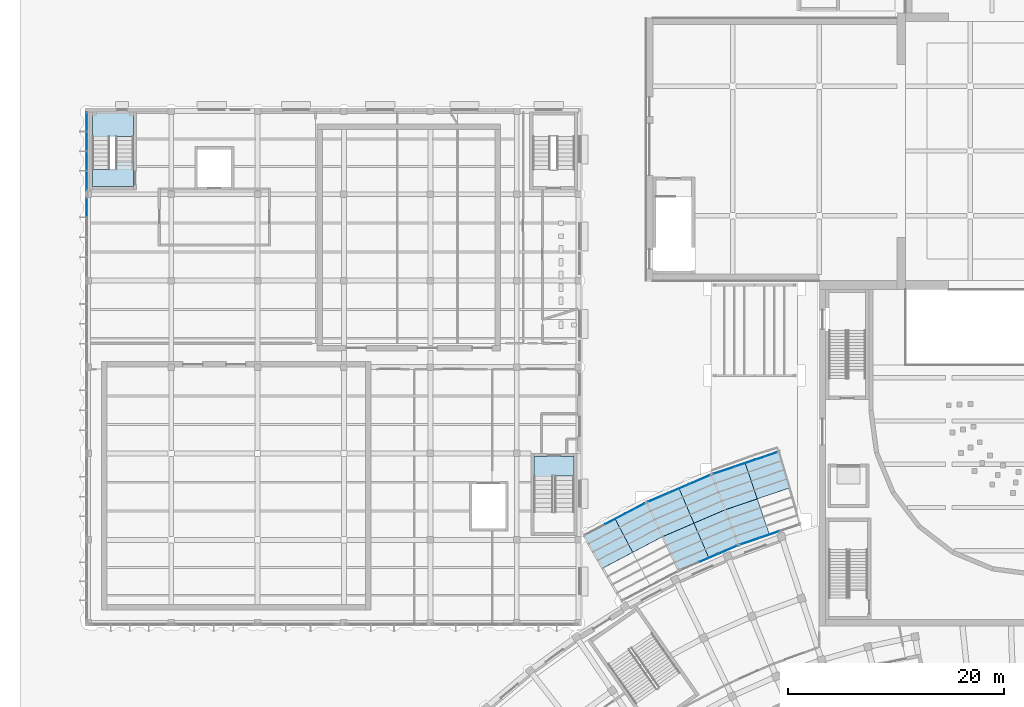
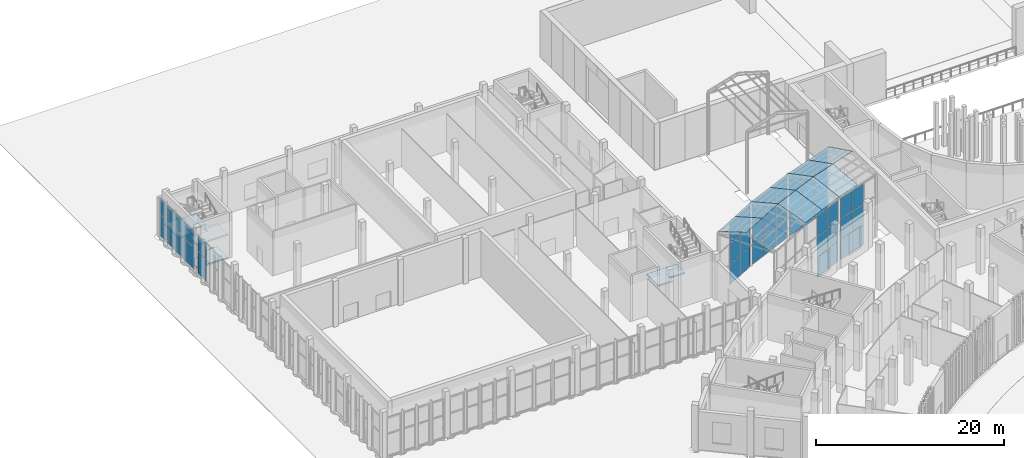
# One storey, part 83 of 155: 55 plates, 4 slabs, 8 elements without a shape of their own.
"""IFC4 building model written with IfcOpenShell, lengths in metres."""

from ifc_helpers import new_model, si_unit, direction, frame, origin, origin_2d, place, context, subcontext, project, spatial, polyline, rectangle, outline, extrude, material, layer, layer_set, type_object, element, aggregate, save


model = new_model("IFC4")

# Units and contexts
model_context = context("Model", 3, precision=1e-05, world=origin(), true_north=direction((0.0, 1.0)))
body_context = subcontext(model_context, "Body", "Model", "MODEL_VIEW")
ifc_project = project(units=[si_unit("LENGTHUNIT", "METRE"), si_unit("AREAUNIT", "SQUARE_METRE"), si_unit("VOLUMEUNIT", "CUBIC_METRE"), si_unit("PLANEANGLEUNIT", "RADIAN"), si_unit("MASSUNIT", "GRAM", prefix="KILO")], contexts=[model_context])

# Site, building, storey
site_placement = place(None, origin())
site = spatial("IfcSite", under=ifc_project, at=site_placement, CompositionType="ELEMENT")
building_placement = place(site_placement, origin())
building = spatial("IfcBuilding", under=site, at=building_placement, Name="Lunette Opera House", CompositionType="ELEMENT")
storey_placement = place(building_placement, origin())
storey = spatial("IfcBuildingStorey", under=building, at=storey_placement, Name="L00", CompositionType="ELEMENT", Elevation=0.0)

# Slabs
ifc_material_1 = material(Name="Concrete C35/45", Category="concrete")
ifc_layer_1 = layer(ifc_material_1, 0.199951171875)
ifc_layer_set_1 = layer_set([ifc_layer_1], Name="Concrete C35/45")
slab_type_1 = type_object("IfcSlabType", Name="CORE LANDING SLAB 200", PredefinedType="LANDING", material=ifc_layer_set_1)
slab_1_placement = place(storey_placement, frame((0.0, 0.0, -0.199951171875)))
element("IfcSlab", 1, at=slab_1_placement, inside=storey, type_object=slab_type_1, Name="ST15 floor landing", PredefinedType="LANDING", context=body_context, shape_type="SweptSolid", body=[
    extrude(outline(polyline([(10.89990234375, 106.300048828125), (10.89990234375, 107.0), (12.5, 107.0), (12.5, 104.699951171875), (8.699951171875, 104.699951171875), (8.699951171875, 106.31005859375), (10.300048828125, 106.31005859375), (10.300048828125, 106.300048828125), (10.89990234375, 106.300048828125)])), origin(), (0.0, 0.0, 1.0), 0.199951171875),
])
slab_2_placement = place(storey_placement, frame((0.0, 0.0, -0.199951171875)))
element("IfcSlab", 2, at=slab_2_placement, inside=storey, type_object=slab_type_1, Name="ST16 floor landing", PredefinedType="LANDING", context=body_context, shape_type="SweptSolid", body=[
    extrude(outline(polyline([(53.300048828125, 77.919921875), (51.530029296875, 77.919921875), (51.530029296875, 77.929931640625), (51.3701171875, 77.929931640625), (51.3701171875, 77.22998046875), (49.60009765625, 77.22998046875), (49.60009765625, 79.699951171875), (53.300048828125, 79.699951171875), (53.300048828125, 77.919921875)])), origin(), (0.0, 0.0, 1.0), 0.199951171875),
])

# Curtain wall, plates
ifc_material_2 = material(Name="Aluminium", Category="aluminium")
ifc_layer_2 = layer(ifc_material_2, 0.139892578125)
ifc_layer_set_2 = layer_set([ifc_layer_2], Name="Aluminium")
curtain_wall_type_1 = type_object("IfcCurtainWallType", Name="PASSAGE CURTAIN WALL", PredefinedType="NOTDEFINED", material=ifc_layer_set_2)
curtain_wall_1_placement = place(storey_placement, origin())
curtain_wall_1 = element("IfcCurtainWall", 3, at=curtain_wall_1_placement, inside=storey, type_object=curtain_wall_type_1, Name="Passage Curtain Wall WI2 L00", PredefinedType="NOTDEFINED")
ifc_material_3 = material(Name="Laminated glass", Category="glass")
ifc_layer_3 = layer(ifc_material_3, 0.028076171875)
ifc_layer_set_3 = layer_set([ifc_layer_3], Name="Laminated glass")
plate_type_1 = type_object("IfcPlateType", Name="CURTAIN PANEL LAMINATED GLASS 28", PredefinedType="CURTAIN_PANEL", material=ifc_layer_set_3)
plate_1_placement = place(storey_placement, frame((65.785888671875, 70.324951171875, 0.06005859375), z_axis=(0.0, 0.0, 1.0), x_axis=(0.918764423565, 0.394806198015, 0.0)))
plate_1 = element("IfcPlate", 4, at=plate_1_placement, type_object=plate_type_1, Name="PP-X2014 panel 2.1", PredefinedType="CURTAIN_PANEL", context=body_context, shape_type="SweptSolid", body=[
    extrude(rectangle(XDim=1.8447265625, YDim=0.028076171875, at=origin_2d()), origin(), (0.0, 0.0, 1.0), 2.610107421875),
])
plate_2_placement = place(storey_placement, frame((65.785888671875, 70.324951171875, 2.72998046875), z_axis=(0.0, 0.0, 1.0), x_axis=(0.918764423565, 0.394806198015, 0.0)))
plate_2 = element("IfcPlate", 5, at=plate_2_placement, type_object=plate_type_1, Name="PP-X2014 panel 2.2", PredefinedType="CURTAIN_PANEL", context=body_context, shape_type="SweptSolid", body=[
    extrude(rectangle(XDim=1.8447265625, YDim=0.028076171875, at=origin_2d()), origin(), (0.0, 0.0, 1.0), 2.639892578125),
])
plate_3_placement = place(storey_placement, frame((65.785888671875, 70.324951171875, 5.43017578125), z_axis=(0.0, 0.0, 1.0), x_axis=(0.918764423565, 0.394806198015, 0.0)))
plate_3 = element("IfcPlate", 6, at=plate_3_placement, type_object=plate_type_1, Name="PP-X2014 panel 2.3", PredefinedType="CURTAIN_PANEL", context=body_context, shape_type="SweptSolid", body=[
    extrude(rectangle(XDim=1.8447265625, YDim=0.028076171875, at=origin_2d()), origin(), (0.0, 0.0, 1.0), 2.610107421875),
])
plate_4_placement = place(storey_placement, frame((67.522216796875, 71.071044921875, 0.06005859375), z_axis=(0.0, 0.0, 1.0), x_axis=(0.918764423565, 0.394806198015, 0.0)))
plate_4 = element("IfcPlate", 7, at=plate_4_placement, type_object=plate_type_1, Name="PP-X2014 panel 3.1", PredefinedType="CURTAIN_PANEL", context=body_context, shape_type="SweptSolid", body=[
    extrude(rectangle(XDim=1.814697265625, YDim=0.028076171875, at=origin_2d()), origin(), (0.0, 0.0, 1.0), 2.610107421875),
])
plate_5_placement = place(storey_placement, frame((67.522216796875, 71.071044921875, 2.72998046875), z_axis=(0.0, 0.0, 1.0), x_axis=(0.918764423565, 0.394806198015, 0.0)))
plate_5 = element("IfcPlate", 8, at=plate_5_placement, type_object=plate_type_1, Name="PP-X2014 panel 3.2", PredefinedType="CURTAIN_PANEL", context=body_context, shape_type="SweptSolid", body=[
    extrude(rectangle(XDim=1.814697265625, YDim=0.028076171875, at=origin_2d()), origin(), (0.0, 0.0, 1.0), 2.639892578125),
])
plate_6_placement = place(storey_placement, frame((67.522216796875, 71.071044921875, 5.43017578125), z_axis=(0.0, 0.0, 1.0), x_axis=(0.918764423565, 0.394806198015, 0.0)))
plate_6 = element("IfcPlate", 9, at=plate_6_placement, type_object=plate_type_1, Name="PP-X2014 panel 3.3", PredefinedType="CURTAIN_PANEL", context=body_context, shape_type="SweptSolid", body=[
    extrude(rectangle(XDim=1.814697265625, YDim=0.028076171875, at=origin_2d()), origin(), (0.0, 0.0, 1.0), 2.610107421875),
])
aggregate(curtain_wall_1, [plate_1, plate_2, plate_3, plate_4, plate_5, plate_6])

curtain_wall_2_placement = place(storey_placement, origin())
curtain_wall_2 = element("IfcCurtainWall", 10, at=curtain_wall_2_placement, inside=storey, type_object=curtain_wall_type_1, Name="Passage Curtain Wall WI3 L00", PredefinedType="NOTDEFINED")
plate_7_placement = place(storey_placement, frame((69.60693359375, 71.87109375, 0.06005859375), z_axis=(0.0, 0.0, 1.0), x_axis=(0.946865501729, 0.321629789721, 0.0)))
plate_7 = element("IfcPlate", 11, at=plate_7_placement, type_object=plate_type_1, Name="PP-X2015 panel 1.1", PredefinedType="CURTAIN_PANEL", context=body_context, shape_type="SweptSolid", body=[
    extrude(rectangle(XDim=1.81494140625, YDim=0.028076171875, at=origin_2d()), origin(), (0.0, 0.0, 1.0), 2.610107421875),
])
plate_8_placement = place(storey_placement, frame((69.60693359375, 71.87109375, 2.72998046875), z_axis=(0.0, 0.0, 1.0), x_axis=(0.946865501729, 0.321629789721, 0.0)))
plate_8 = element("IfcPlate", 12, at=plate_8_placement, type_object=plate_type_1, Name="PP-X2015 panel 1.2", PredefinedType="CURTAIN_PANEL", context=body_context, shape_type="SweptSolid", body=[
    extrude(rectangle(XDim=1.81494140625, YDim=0.028076171875, at=origin_2d()), origin(), (0.0, 0.0, 1.0), 2.639892578125),
])
plate_9_placement = place(storey_placement, frame((69.60693359375, 71.87109375, 5.43017578125), z_axis=(0.0, 0.0, 1.0), x_axis=(0.946865501729, 0.321629789721, 0.0)))
plate_9 = element("IfcPlate", 13, at=plate_9_placement, type_object=plate_type_1, Name="PP-X2015 panel 1.3", PredefinedType="CURTAIN_PANEL", context=body_context, shape_type="SweptSolid", body=[
    extrude(rectangle(XDim=1.81494140625, YDim=0.028076171875, at=origin_2d()), origin(), (0.0, 0.0, 1.0), 2.610107421875),
])
plate_10_placement = place(storey_placement, frame((71.396484375, 72.47900390625, 0.06005859375), z_axis=(0.0, 0.0, 1.0), x_axis=(0.946865501729, 0.321629789721, 0.0)))
plate_10 = element("IfcPlate", 14, at=plate_10_placement, type_object=plate_type_1, Name="PP-X2015 panel 2.1", PredefinedType="CURTAIN_PANEL", context=body_context, shape_type="SweptSolid", body=[
    extrude(rectangle(XDim=1.844970703125, YDim=0.028076171875, at=origin_2d()), origin(), (0.0, 0.0, 1.0), 2.610107421875),
])
plate_11_placement = place(storey_placement, frame((71.396484375, 72.47900390625, 2.72998046875), z_axis=(0.0, 0.0, 1.0), x_axis=(0.946865501729, 0.321629789721, 0.0)))
plate_11 = element("IfcPlate", 15, at=plate_11_placement, type_object=plate_type_1, Name="PP-X2015 panel 2.2", PredefinedType="CURTAIN_PANEL", context=body_context, shape_type="SweptSolid", body=[
    extrude(rectangle(XDim=1.844970703125, YDim=0.028076171875, at=origin_2d()), origin(), (0.0, 0.0, 1.0), 2.639892578125),
])
plate_12_placement = place(storey_placement, frame((71.396484375, 72.47900390625, 5.43017578125), z_axis=(0.0, 0.0, 1.0), x_axis=(0.946865501729, 0.321629789721, 0.0)))
plate_12 = element("IfcPlate", 16, at=plate_12_placement, type_object=plate_type_1, Name="PP-X2015 panel 2.3", PredefinedType="CURTAIN_PANEL", context=body_context, shape_type="SweptSolid", body=[
    extrude(rectangle(XDim=1.844970703125, YDim=0.028076171875, at=origin_2d()), origin(), (0.0, 0.0, 1.0), 2.610107421875),
])
aggregate(curtain_wall_2, [plate_7, plate_8, plate_9, plate_10, plate_11, plate_12])

curtain_wall_3_placement = place(storey_placement, origin())
curtain_wall_3 = element("IfcCurtainWall", 17, at=curtain_wall_3_placement, inside=storey, type_object=curtain_wall_type_1, Name="Passage Curtain Wall WO1 L00", PredefinedType="NOTDEFINED")
plate_13_placement = place(storey_placement, frame((57.1044921875, 73.927978515625, 0.06005859375), z_axis=(0.0, 0.0, 1.0), x_axis=(0.885008254005, 0.465575332618, 0.0)))
plate_13 = element("IfcPlate", 18, at=plate_13_placement, type_object=plate_type_1, Name="PP-X2016 panel 2.1", PredefinedType="CURTAIN_PANEL", context=body_context, shape_type="SweptSolid", body=[
    extrude(rectangle(XDim=2.02783203125, YDim=0.028076171875, at=origin_2d()), origin(), (0.0, 0.0, 1.0), 2.610107421875),
])
plate_14_placement = place(storey_placement, frame((57.1044921875, 73.927978515625, 2.72998046875), z_axis=(0.0, 0.0, 1.0), x_axis=(0.885008254005, 0.465575332618, 0.0)))
plate_14 = element("IfcPlate", 19, at=plate_14_placement, type_object=plate_type_1, Name="PP-X2016 panel 2.2", PredefinedType="CURTAIN_PANEL", context=body_context, shape_type="SweptSolid", body=[
    extrude(rectangle(XDim=2.02783203125, YDim=0.028076171875, at=origin_2d()), origin(), (0.0, 0.0, 1.0), 2.639892578125),
])
plate_15_placement = place(storey_placement, frame((57.1044921875, 73.927978515625, 5.43017578125), z_axis=(0.0, 0.0, 1.0), x_axis=(0.885008254005, 0.465575332618, 0.0)))
plate_15 = element("IfcPlate", 20, at=plate_15_placement, type_object=plate_type_1, Name="PP-X2016 panel 2.3", PredefinedType="CURTAIN_PANEL", context=body_context, shape_type="SweptSolid", body=[
    extrude(rectangle(XDim=2.02783203125, YDim=0.028076171875, at=origin_2d()), origin(), (0.0, 0.0, 1.0), 2.610107421875),
])
plate_16_placement = place(storey_placement, frame((58.93896484375, 74.89306640625, 0.06005859375), z_axis=(0.0, 0.0, 1.0), x_axis=(0.885008254005, 0.465575332618, 0.0)))
plate_16 = element("IfcPlate", 21, at=plate_16_placement, type_object=plate_type_1, Name="PP-X2016 panel 3.1", PredefinedType="CURTAIN_PANEL", context=body_context, shape_type="SweptSolid", body=[
    extrude(rectangle(XDim=1.997802734375, YDim=0.028076171875, at=origin_2d()), origin(), (0.0, 0.0, 1.0), 2.610107421875),
])
plate_17_placement = place(storey_placement, frame((58.93896484375, 74.89306640625, 2.72998046875), z_axis=(0.0, 0.0, 1.0), x_axis=(0.885008254005, 0.465575332618, 0.0)))
plate_17 = element("IfcPlate", 22, at=plate_17_placement, type_object=plate_type_1, Name="PP-X2016 panel 3.2", PredefinedType="CURTAIN_PANEL", context=body_context, shape_type="SweptSolid", body=[
    extrude(rectangle(XDim=1.997802734375, YDim=0.028076171875, at=origin_2d()), origin(), (0.0, 0.0, 1.0), 2.639892578125),
])
plate_18_placement = place(storey_placement, frame((58.93896484375, 74.89306640625, 5.43017578125), z_axis=(0.0, 0.0, 1.0), x_axis=(0.885008254005, 0.465575332618, 0.0)))
plate_18 = element("IfcPlate", 23, at=plate_18_placement, type_object=plate_type_1, Name="PP-X2016 panel 3.3", PredefinedType="CURTAIN_PANEL", context=body_context, shape_type="SweptSolid", body=[
    extrude(rectangle(XDim=1.997802734375, YDim=0.028076171875, at=origin_2d()), origin(), (0.0, 0.0, 1.0), 2.610107421875),
])
aggregate(curtain_wall_3, [plate_13, plate_14, plate_15, plate_16, plate_17, plate_18])

curtain_wall_4_placement = place(storey_placement, origin())
curtain_wall_4 = element("IfcCurtainWall", 24, at=curtain_wall_4_placement, inside=storey, type_object=curtain_wall_type_1, Name="Passage Curtain Wall WO2 L00", PredefinedType="NOTDEFINED")
plate_19_placement = place(storey_placement, frame((61.119873046875, 75.93310546875, 0.06005859375), z_axis=(0.0, 0.0, 1.0), x_axis=(0.918764754476, 0.394805427943, 0.0)))
plate_19 = element("IfcPlate", 25, at=plate_19_placement, type_object=plate_type_1, Name="PP-X2017 panel 1.1", PredefinedType="CURTAIN_PANEL", context=body_context, shape_type="SweptSolid", body=[
    extrude(rectangle(XDim=1.998046875, YDim=0.028076171875, at=origin_2d()), origin(), (0.0, 0.0, 1.0), 2.610107421875),
])
plate_20_placement = place(storey_placement, frame((61.119873046875, 75.93310546875, 2.72998046875), z_axis=(0.0, 0.0, 1.0), x_axis=(0.918764754476, 0.394805427943, 0.0)))
plate_20 = element("IfcPlate", 26, at=plate_20_placement, type_object=plate_type_1, Name="PP-X2017 panel 1.2", PredefinedType="CURTAIN_PANEL", context=body_context, shape_type="SweptSolid", body=[
    extrude(rectangle(XDim=1.998046875, YDim=0.028076171875, at=origin_2d()), origin(), (0.0, 0.0, 1.0), 2.639892578125),
])
plate_21_placement = place(storey_placement, frame((61.119873046875, 75.93310546875, 5.43017578125), z_axis=(0.0, 0.0, 1.0), x_axis=(0.918764754476, 0.394805427943, 0.0)))
plate_21 = element("IfcPlate", 27, at=plate_21_placement, type_object=plate_type_1, Name="PP-X2017 panel 1.3", PredefinedType="CURTAIN_PANEL", context=body_context, shape_type="SweptSolid", body=[
    extrude(rectangle(XDim=1.998046875, YDim=0.028076171875, at=origin_2d()), origin(), (0.0, 0.0, 1.0), 2.610107421875),
])
plate_22_placement = place(storey_placement, frame((63.0244140625, 76.75146484375, 0.06005859375), z_axis=(0.0, 0.0, 1.0), x_axis=(0.918764754476, 0.394805427943, 0.0)))
plate_22 = element("IfcPlate", 28, at=plate_22_placement, type_object=plate_type_1, Name="PP-X2017 panel 2.1", PredefinedType="CURTAIN_PANEL", context=body_context, shape_type="SweptSolid", body=[
    extrude(rectangle(XDim=2.02783203125, YDim=0.028076171875, at=origin_2d()), origin(), (0.0, 0.0, 1.0), 2.610107421875),
])
plate_23_placement = place(storey_placement, frame((63.0244140625, 76.75146484375, 2.72998046875), z_axis=(0.0, 0.0, 1.0), x_axis=(0.918764754476, 0.394805427943, 0.0)))
plate_23 = element("IfcPlate", 29, at=plate_23_placement, type_object=plate_type_1, Name="PP-X2017 panel 2.2", PredefinedType="CURTAIN_PANEL", context=body_context, shape_type="SweptSolid", body=[
    extrude(rectangle(XDim=2.02783203125, YDim=0.028076171875, at=origin_2d()), origin(), (0.0, 0.0, 1.0), 2.639892578125),
])
plate_24_placement = place(storey_placement, frame((63.0244140625, 76.75146484375, 5.43017578125), z_axis=(0.0, 0.0, 1.0), x_axis=(0.918764754476, 0.394805427943, 0.0)))
plate_24 = element("IfcPlate", 30, at=plate_24_placement, type_object=plate_type_1, Name="PP-X2017 panel 2.3", PredefinedType="CURTAIN_PANEL", context=body_context, shape_type="SweptSolid", body=[
    extrude(rectangle(XDim=2.02783203125, YDim=0.028076171875, at=origin_2d()), origin(), (0.0, 0.0, 1.0), 2.610107421875),
])
plate_25_placement = place(storey_placement, frame((64.928955078125, 77.56982421875, 0.06005859375), z_axis=(0.0, 0.0, 1.0), x_axis=(0.918764754476, 0.394805427943, 0.0)))
plate_25 = element("IfcPlate", 31, at=plate_25_placement, type_object=plate_type_1, Name="PP-X2017 panel 3.1", PredefinedType="CURTAIN_PANEL", context=body_context, shape_type="SweptSolid", body=[
    extrude(rectangle(XDim=1.998046875, YDim=0.028076171875, at=origin_2d()), origin(), (0.0, 0.0, 1.0), 2.610107421875),
])
plate_26_placement = place(storey_placement, frame((64.928955078125, 77.56982421875, 2.72998046875), z_axis=(0.0, 0.0, 1.0), x_axis=(0.918764754476, 0.394805427943, 0.0)))
plate_26 = element("IfcPlate", 32, at=plate_26_placement, type_object=plate_type_1, Name="PP-X2017 panel 3.2", PredefinedType="CURTAIN_PANEL", context=body_context, shape_type="SweptSolid", body=[
    extrude(rectangle(XDim=1.998046875, YDim=0.028076171875, at=origin_2d()), origin(), (0.0, 0.0, 1.0), 2.639892578125),
])
plate_27_placement = place(storey_placement, frame((64.928955078125, 77.56982421875, 5.43017578125), z_axis=(0.0, 0.0, 1.0), x_axis=(0.918764754476, 0.394805427943, 0.0)))
plate_27 = element("IfcPlate", 33, at=plate_27_placement, type_object=plate_type_1, Name="PP-X2017 panel 3.3", PredefinedType="CURTAIN_PANEL", context=body_context, shape_type="SweptSolid", body=[
    extrude(rectangle(XDim=1.998046875, YDim=0.028076171875, at=origin_2d()), origin(), (0.0, 0.0, 1.0), 2.610107421875),
])
aggregate(curtain_wall_4, [plate_19, plate_20, plate_21, plate_22, plate_23, plate_24, plate_25, plate_26, plate_27])

curtain_wall_5_placement = place(storey_placement, origin())
curtain_wall_5 = element("IfcCurtainWall", 34, at=curtain_wall_5_placement, inside=storey, type_object=curtain_wall_type_1, Name="Passage Curtain Wall WO3 L00", PredefinedType="NOTDEFINED")
plate_28_placement = place(storey_placement, frame((67.184814453125, 78.435546875, 0.06005859375), z_axis=(0.0, 0.0, 1.0), x_axis=(0.946912765974, 0.32149061205, 0.0)))
plate_28 = element("IfcPlate", 35, at=plate_28_placement, type_object=plate_type_1, Name="PP-X2018 panel 1.1", PredefinedType="CURTAIN_PANEL", context=body_context, shape_type="SweptSolid", body=[
    extrude(rectangle(XDim=1.998291015625, YDim=0.028076171875, at=origin_2d()), origin(), (0.0, 0.0, 1.0), 2.610107421875),
])
plate_29_placement = place(storey_placement, frame((67.184814453125, 78.435546875, 2.72998046875), z_axis=(0.0, 0.0, 1.0), x_axis=(0.946912765974, 0.32149061205, 0.0)))
plate_29 = element("IfcPlate", 36, at=plate_29_placement, type_object=plate_type_1, Name="PP-X2018 panel 1.2", PredefinedType="CURTAIN_PANEL", context=body_context, shape_type="SweptSolid", body=[
    extrude(rectangle(XDim=1.998291015625, YDim=0.028076171875, at=origin_2d()), origin(), (0.0, 0.0, 1.0), 2.639892578125),
])
plate_30_placement = place(storey_placement, frame((67.184814453125, 78.435546875, 5.43017578125), z_axis=(0.0, 0.0, 1.0), x_axis=(0.946912765974, 0.32149061205, 0.0)))
plate_30 = element("IfcPlate", 37, at=plate_30_placement, type_object=plate_type_1, Name="PP-X2018 panel 1.3", PredefinedType="CURTAIN_PANEL", context=body_context, shape_type="SweptSolid", body=[
    extrude(rectangle(XDim=1.998291015625, YDim=0.028076171875, at=origin_2d()), origin(), (0.0, 0.0, 1.0), 2.610107421875),
])
plate_31_placement = place(storey_placement, frame((69.14794921875, 79.10205078125, 0.06005859375), z_axis=(0.0, 0.0, 1.0), x_axis=(0.946912765974, 0.32149061205, 0.0)))
plate_31 = element("IfcPlate", 38, at=plate_31_placement, type_object=plate_type_1, Name="PP-X2018 panel 2.1", PredefinedType="CURTAIN_PANEL", context=body_context, shape_type="SweptSolid", body=[
    extrude(rectangle(XDim=2.028076171875, YDim=0.028076171875, at=origin_2d()), origin(), (0.0, 0.0, 1.0), 2.610107421875),
])
plate_32_placement = place(storey_placement, frame((69.14794921875, 79.10205078125, 2.72998046875), z_axis=(0.0, 0.0, 1.0), x_axis=(0.946912765974, 0.32149061205, 0.0)))
plate_32 = element("IfcPlate", 39, at=plate_32_placement, type_object=plate_type_1, Name="PP-X2018 panel 2.2", PredefinedType="CURTAIN_PANEL", context=body_context, shape_type="SweptSolid", body=[
    extrude(rectangle(XDim=2.028076171875, YDim=0.028076171875, at=origin_2d()), origin(), (0.0, 0.0, 1.0), 2.639892578125),
])
plate_33_placement = place(storey_placement, frame((69.14794921875, 79.10205078125, 5.43017578125), z_axis=(0.0, 0.0, 1.0), x_axis=(0.946912765974, 0.32149061205, 0.0)))
plate_33 = element("IfcPlate", 40, at=plate_33_placement, type_object=plate_type_1, Name="PP-X2018 panel 2.3", PredefinedType="CURTAIN_PANEL", context=body_context, shape_type="SweptSolid", body=[
    extrude(rectangle(XDim=2.028076171875, YDim=0.028076171875, at=origin_2d()), origin(), (0.0, 0.0, 1.0), 2.610107421875),
])
plate_34_placement = place(storey_placement, frame((71.111083984375, 79.7685546875, 0.06005859375), z_axis=(0.0, 0.0, 1.0), x_axis=(0.946912765974, 0.32149061205, 0.0)))
plate_34 = element("IfcPlate", 41, at=plate_34_placement, type_object=plate_type_1, Name="PP-X2018 panel 3.1", PredefinedType="CURTAIN_PANEL", context=body_context, shape_type="SweptSolid", body=[
    extrude(rectangle(XDim=1.998291015625, YDim=0.028076171875, at=origin_2d()), origin(), (0.0, 0.0, 1.0), 2.610107421875),
])
plate_35_placement = place(storey_placement, frame((71.111083984375, 79.7685546875, 2.72998046875), z_axis=(0.0, 0.0, 1.0), x_axis=(0.946912765974, 0.32149061205, 0.0)))
plate_35 = element("IfcPlate", 42, at=plate_35_placement, type_object=plate_type_1, Name="PP-X2018 panel 3.2", PredefinedType="CURTAIN_PANEL", context=body_context, shape_type="SweptSolid", body=[
    extrude(rectangle(XDim=1.998291015625, YDim=0.028076171875, at=origin_2d()), origin(), (0.0, 0.0, 1.0), 2.639892578125),
])
plate_36_placement = place(storey_placement, frame((71.111083984375, 79.7685546875, 5.43017578125), z_axis=(0.0, 0.0, 1.0), x_axis=(0.946912765974, 0.32149061205, 0.0)))
plate_36 = element("IfcPlate", 43, at=plate_36_placement, type_object=plate_type_1, Name="PP-X2018 panel 3.3", PredefinedType="CURTAIN_PANEL", context=body_context, shape_type="SweptSolid", body=[
    extrude(rectangle(XDim=1.998291015625, YDim=0.028076171875, at=origin_2d()), origin(), (0.0, 0.0, 1.0), 2.610107421875),
])
aggregate(curtain_wall_5, [plate_28, plate_29, plate_30, plate_31, plate_32, plate_33, plate_34, plate_35, plate_36])

ifc_material_4 = material(Name="Aluminium", Category="aluminium")
ifc_layer_4 = layer(ifc_material_4, 0.179931640625)
ifc_layer_set_4 = layer_set([ifc_layer_4], Name="Aluminium")
curtain_wall_type_2 = type_object("IfcCurtainWallType", Name="SUN FACE CURTAIN WALL", PredefinedType="NOTDEFINED", material=ifc_layer_set_4)
curtain_wall_6_placement = place(storey_placement, origin())
curtain_wall_6 = element("IfcCurtainWall", 44, at=curtain_wall_6_placement, inside=storey, type_object=curtain_wall_type_2, Name="Sun Face Curtain Wall F07 L00", PredefinedType="NOTDEFINED")
plate_37_placement = place(storey_placement, frame((8.181884765625, 110.706787109375, 0.06005859375), z_axis=(0.0, 0.0, 1.0), x_axis=(0.0, -1.0, 0.0)))
plate_37 = element("IfcPlate", 45, at=plate_37_placement, type_object=plate_type_1, Name="RW-X2001 panel 1.1", PredefinedType="CURTAIN_PANEL", context=body_context, shape_type="SweptSolid", body=[
    extrude(rectangle(XDim=1.736328125, YDim=0.028076171875, at=origin_2d()), origin(), (0.0, 0.0, 1.0), 2.8349609375),
])
plate_38_placement = place(storey_placement, frame((8.181884765625, 110.706787109375, 2.955078125), z_axis=(0.0, 0.0, 1.0), x_axis=(0.0, -1.0, 0.0)))
plate_38 = element("IfcPlate", 46, at=plate_38_placement, type_object=plate_type_1, Name="RW-X2001 panel 1.2", PredefinedType="CURTAIN_PANEL", context=body_context, shape_type="SweptSolid", body=[
    extrude(rectangle(XDim=1.736328125, YDim=0.028076171875, at=origin_2d()), origin(), (0.0, 0.0, 1.0), 2.034912109375),
])
plate_39_placement = place(storey_placement, frame((8.181884765625, 108.8955078125, 0.06005859375), z_axis=(0.0, 0.0, 1.0), x_axis=(0.0, -1.0, 0.0)))
plate_39 = element("IfcPlate", 47, at=plate_39_placement, type_object=plate_type_1, Name="RW-X2001 panel 2.1", PredefinedType="CURTAIN_PANEL", context=body_context, shape_type="SweptSolid", body=[
    extrude(rectangle(XDim=1.766357421875, YDim=0.028076171875, at=origin_2d()), origin(), (0.0, 0.0, 1.0), 2.8349609375),
])
plate_40_placement = place(storey_placement, frame((8.181884765625, 108.8955078125, 2.955078125), z_axis=(0.0, 0.0, 1.0), x_axis=(0.0, -1.0, 0.0)))
plate_40 = element("IfcPlate", 48, at=plate_40_placement, type_object=plate_type_1, Name="RW-X2001 panel 2.2", PredefinedType="CURTAIN_PANEL", context=body_context, shape_type="SweptSolid", body=[
    extrude(rectangle(XDim=1.766357421875, YDim=0.028076171875, at=origin_2d()), origin(), (0.0, 0.0, 1.0), 2.034912109375),
])
plate_41_placement = place(storey_placement, frame((8.181884765625, 107.0693359375, 0.06005859375), z_axis=(0.0, 0.0, 1.0), x_axis=(0.0, -1.0, 0.0)))
plate_41 = element("IfcPlate", 49, at=plate_41_placement, type_object=plate_type_1, Name="RW-X2001 panel 3.1", PredefinedType="CURTAIN_PANEL", context=body_context, shape_type="SweptSolid", body=[
    extrude(rectangle(XDim=1.766357421875, YDim=0.028076171875, at=origin_2d()), origin(), (0.0, 0.0, 1.0), 2.8349609375),
])
plate_42_placement = place(storey_placement, frame((8.181884765625, 107.0693359375, 2.955078125), z_axis=(0.0, 0.0, 1.0), x_axis=(0.0, -1.0, 0.0)))
plate_42 = element("IfcPlate", 50, at=plate_42_placement, type_object=plate_type_1, Name="RW-X2001 panel 3.2", PredefinedType="CURTAIN_PANEL", context=body_context, shape_type="SweptSolid", body=[
    extrude(rectangle(XDim=1.766357421875, YDim=0.028076171875, at=origin_2d()), origin(), (0.0, 0.0, 1.0), 2.034912109375),
])
plate_43_placement = place(storey_placement, frame((8.181884765625, 105.258056640625, 0.06005859375), z_axis=(0.0, 0.0, 1.0), x_axis=(0.0, -1.0, 0.0)))
plate_43 = element("IfcPlate", 51, at=plate_43_placement, type_object=plate_type_1, Name="RW-X2001 panel 4.1", PredefinedType="CURTAIN_PANEL", context=body_context, shape_type="SweptSolid", body=[
    extrude(rectangle(XDim=1.736328125, YDim=0.028076171875, at=origin_2d()), origin(), (0.0, 0.0, 1.0), 2.8349609375),
])
plate_44_placement = place(storey_placement, frame((8.181884765625, 105.258056640625, 2.955078125), z_axis=(0.0, 0.0, 1.0), x_axis=(0.0, -1.0, 0.0)))
plate_44 = element("IfcPlate", 52, at=plate_44_placement, type_object=plate_type_1, Name="RW-X2001 panel 4.2", PredefinedType="CURTAIN_PANEL", context=body_context, shape_type="SweptSolid", body=[
    extrude(rectangle(XDim=1.736328125, YDim=0.028076171875, at=origin_2d()), origin(), (0.0, 0.0, 1.0), 2.034912109375),
])
aggregate(curtain_wall_6, [plate_37, plate_38, plate_39, plate_40, plate_41, plate_42, plate_43, plate_44])

curtain_wall_7_placement = place(storey_placement, origin())
curtain_wall_7 = element("IfcCurtainWall", 53, at=curtain_wall_7_placement, inside=storey, type_object=curtain_wall_type_2, Name="Sun Face Curtain Wall F08 L00", PredefinedType="NOTDEFINED")
plate_45_placement = place(storey_placement, frame((8.181884765625, 102.76025390625, 0.06005859375), z_axis=(0.0, 0.0, 1.0), x_axis=(0.0, -1.0, 0.0)))
plate_45 = element("IfcPlate", 54, at=plate_45_placement, type_object=plate_type_1, Name="RW-X2002 panel 1.1", PredefinedType="CURTAIN_PANEL", context=body_context, shape_type="SweptSolid", body=[
    extrude(rectangle(XDim=1.75146484375, YDim=0.028076171875, at=origin_2d()), origin(), (0.0, 0.0, 1.0), 2.8349609375),
])
plate_46_placement = place(storey_placement, frame((8.181884765625, 102.76025390625, 2.955078125), z_axis=(0.0, 0.0, 1.0), x_axis=(0.0, -1.0, 0.0)))
plate_46 = element("IfcPlate", 55, at=plate_46_placement, type_object=plate_type_1, Name="RW-X2002 panel 1.2", PredefinedType="CURTAIN_PANEL", context=body_context, shape_type="SweptSolid", body=[
    extrude(rectangle(XDim=1.75146484375, YDim=0.028076171875, at=origin_2d()), origin(), (0.0, 0.0, 1.0), 2.034912109375),
])
aggregate(curtain_wall_7, [plate_45, plate_46])

# Plates
ifc_material_5 = material(Name="Laminated glass", Category="glass")
ifc_layer_5 = layer(ifc_material_5, 0.02001953125)
ifc_layer_set_5 = layer_set([ifc_layer_5], Name="Laminated glass")
plate_type_2 = type_object("IfcPlateType", Name="PASSAGE ROOF GLASS 20", PredefinedType="SHEET", material=ifc_layer_set_5)
plate_47_placement = place(storey_placement, frame((54.199951171875, 72.39990234375, 8.339111328125), z_axis=(-0.139689414984, 0.265477118059, 0.95394379663), x_axis=(0.885023881127, 0.465545624349, 3.8532169e-05)))
element("IfcPlate", 56, at=plate_47_placement, inside=storey, type_object=plate_type_2, Name="Passage roof glass W1B00", PredefinedType="SHEET", context=body_context, shape_type="SweptSolid", body=[
    extrude(outline(polyline([(0.0, 0.0), (3.2824094785957936, -2.220446049250313e-16), (3.2828580246772314, -3.662679954977167), (0.1379212651414485, -3.663505527176195), (0.0, 0.0)])), origin(), (0.0, 0.0, -1.0), 0.02001953125),
])
plate_48_placement = place(storey_placement, frame((57.10498046875, 73.927978515625, 8.339111328125), z_axis=(-0.139693444479, 0.265504169035, 0.953935678017), x_axis=(0.884966443926, 0.465654800288, -9.728127e-06)))
element("IfcPlate", 57, at=plate_48_placement, inside=storey, type_object=plate_type_2, Name="Passage roof glass W1B10", PredefinedType="SHEET", context=body_context, shape_type="SweptSolid", body=[
    extrude(outline(polyline([(0.0, 0.0), (3.2815452259512097, 0.0), (3.1445602739289056, -3.662888357784545), (-3.5510161343536896e-05, -3.6626799845172067), (0.0, 0.0)])), origin(), (0.0, 0.0, -1.0), 0.02001953125),
])
plate_49_placement = place(storey_placement, frame((63.02294921875, 69.137939453125, 8.339111328125), z_axis=(0.118443441546, -0.275602138083, 0.95394686049), x_axis=(0.91879182877, 0.394742414985, -3.4606437e-05)))
element("IfcPlate", 58, at=plate_49_placement, inside=storey, type_object=plate_type_2, Name="Passage roof glass W2A00", PredefinedType="SHEET", context=body_context, shape_type="SweptSolid", body=[
    extrude(outline(polyline([(0.0, 0.0), (3.0071300653918978, -2.220446049250313e-16), (3.0067602075052426, 3.6635674709977653), (-0.13779994260756687, 3.6628577864436305), (0.0, 0.0)])), origin(), (0.0, 0.0, -1.0), 0.02001953125),
])
plate_50_placement = place(storey_placement, frame((65.785888671875, 70.324951171875, 8.339111328125), z_axis=(0.118383716361, -0.275605766372, 0.95395322592), x_axis=(0.918810007032, 0.394700102457, 9.938604e-06)))
element("IfcPlate", 59, at=plate_50_placement, inside=storey, type_object=plate_type_2, Name="Passage roof glass W2A10", PredefinedType="SHEET", context=body_context, shape_type="SweptSolid", body=[
    extrude(outline(polyline([(0.0, 0.0), (3.0073543842116983, 0.0), (3.144686449110734, 3.663363604217464), (-0.00048185511925634037, 3.6635674594693106), (0.0, 0.0)])), origin(), (0.0, 0.0, -1.0), 0.02001953125),
])
plate_51_placement = place(storey_placement, frame((60.009033203125, 75.4560546875, 8.339111328125), z_axis=(-0.118388575632, 0.275677720113, 0.953931831838), x_axis=(0.918877058755, 0.394543977973, 1.8409948e-05)))
element("IfcPlate", 60, at=plate_51_placement, inside=storey, type_object=plate_type_2, Name="Passage roof glass W2B00", PredefinedType="SHEET", context=body_context, shape_type="SweptSolid", body=[
    extrude(outline(polyline([(0.0, 0.0), (3.282116593254348, -2.220446049250313e-16), (3.2829357206187697, -3.662435651771161), (0.1385367574000408, -3.662829993683971), (0.0, 0.0)])), origin(), (0.0, 0.0, -1.0), 0.02001953125),
])
plate_52_placement = place(storey_placement, frame((63.02490234375, 76.7509765625, 8.339111328125), z_axis=(-0.118446472001, 0.275634240992, 0.953937208868), x_axis=(0.918714331893, 0.394922745571, -3.7486573e-05)))
element("IfcPlate", 61, at=plate_52_placement, inside=storey, type_object=plate_type_2, Name="Passage roof glass W2B10", PredefinedType="SHEET", context=body_context, shape_type="SweptSolid", body=[
    extrude(outline(polyline([(0.0, 0.0), (3.2819255017367603, -2.220446049250313e-16), (3.143492011730775, -3.6632386359981326), (-0.0006825500431729093, -3.6624356780479763), (0.0, 0.0)])), origin(), (0.0, 0.0, -1.0), 0.02001953125),
])
plate_53_placement = place(storey_placement, frame((68.549072265625, 71.511962890625, 8.339111328125), z_axis=(0.096450209846, -0.28402932075, 0.953952148682), x_axis=(0.946898439404, 0.321532806161, -3.992497e-06)))
element("IfcPlate", 62, at=plate_53_placement, inside=storey, type_object=plate_type_2, Name="Passage roof glass W3A00", PredefinedType="SHEET", context=body_context, shape_type="SweptSolid", body=[
    extrude(outline(polyline([(0.0, 0.0), (3.00760784688839, -1.1102230246251565e-16), (3.0072458521276206, 3.6634659824408873), (-0.1367841577377843, 3.6633841032261123), (0.0, 0.0)])), origin(), (0.0, 0.0, -1.0), 0.02001953125),
])
plate_54_placement = place(storey_placement, frame((66.0400390625, 78.047119140625, 8.339111328125), z_axis=(-0.096424578585, 0.28405482096, 0.953947147034), x_axis=(0.94693524874, 0.321424384045, 5.960964e-06)))
element("IfcPlate", 63, at=plate_54_placement, inside=storey, type_object=plate_type_2, Name="Passage roof glass W3B00", PredefinedType="SHEET", context=body_context, shape_type="SweptSolid", body=[
    extrude(outline(polyline([(0.0, 0.0), (3.282070429666774, 0.0), (3.281909998310221, -3.6631664861072513), (0.13695527700712654, -3.663294201089634), (0.0, 0.0)])), origin(), (0.0, 0.0, -1.0), 0.02001953125),
])
plate_55_placement = place(storey_placement, frame((69.14794921875, 79.10205078125, 8.339111328125), z_axis=(-0.096425507918, 0.284068953779, 0.953942844683), x_axis=(0.946942594568, 0.321402741907, 9.308749e-06)))
element("IfcPlate", 64, at=plate_55_placement, inside=storey, type_object=plate_type_2, Name="Passage roof glass W3B10", PredefinedType="SHEET", context=body_context, shape_type="SweptSolid", body=[
    extrude(outline(polyline([(0.0, 0.0), (3.282301616023184, 1.1102230246251565e-16), (3.1448778302424194, -3.6629670486337345), (-7.68872338309928e-05, -3.6631664887308437), (0.0, 0.0)])), origin(), (0.0, 0.0, -1.0), 0.02001953125),
])

# Stair, slabs
ifc_material_6 = material(Name="Concrete C35/45", Category="concrete")
stair_type = type_object("IfcStairType", Name="DOGLEG STAIR 1600", PredefinedType="HALF_TURN_STAIR", material=ifc_material_6)
stair_placement = place(storey_placement, origin())
stair = element("IfcStair", 65, at=stair_placement, inside=storey, type_object=stair_type, Name="L00 stair ST15", PredefinedType="HALF_TURN_STAIR")
ifc_material_7 = material(Name="Concrete C35/45", Category="concrete")
ifc_layer_6 = layer(ifc_material_7, 0.199951171875)
ifc_layer_set_6 = layer_set([ifc_layer_6], Name="Concrete C35/45")
slab_type_2 = type_object("IfcSlabType", Name="STAIR LANDING SLAB 200", PredefinedType="LANDING", material=ifc_layer_set_6)
slab_3_placement = place(storey_placement, frame((0.0, 0.0, 1.300048828125)))
slab_3 = element("IfcSlab", 66, at=slab_3_placement, type_object=slab_type_2, Name="ST15 landing 1", PredefinedType="LANDING", context=body_context, shape_type="SweptSolid", body=[
    extrude(outline(polyline([(12.5, 109.330078125), (10.89990234375, 109.330078125), (10.89990234375, 109.340087890625), (10.300048828125, 109.340087890625), (10.300048828125, 108.639892578125), (8.699951171875, 108.639892578125), (8.699951171875, 111.635009765625), (12.5, 111.635009765625), (12.5, 109.330078125)])), origin(), (0.0, 0.0, 1.0), 0.199951171875),
])
slab_4_placement = place(storey_placement, frame((0.0, 0.0, 2.800048828125)))
slab_4 = element("IfcSlab", 67, at=slab_4_placement, type_object=slab_type_2, Name="ST15 landing 2", PredefinedType="LANDING", context=body_context, shape_type="SweptSolid", body=[
    extrude(outline(polyline([(8.699951171875, 104.699951171875), (8.699951171875, 106.31005859375), (10.300048828125, 106.31005859375), (10.300048828125, 106.300048828125), (10.89990234375, 106.300048828125), (10.89990234375, 107.0), (12.5, 107.0), (12.5, 104.699951171875), (8.699951171875, 104.699951171875)])), origin(), (0.0, 0.0, 1.0), 0.199951171875),
])
aggregate(stair, [slab_3, slab_4])

save(model, "model.ifc")
